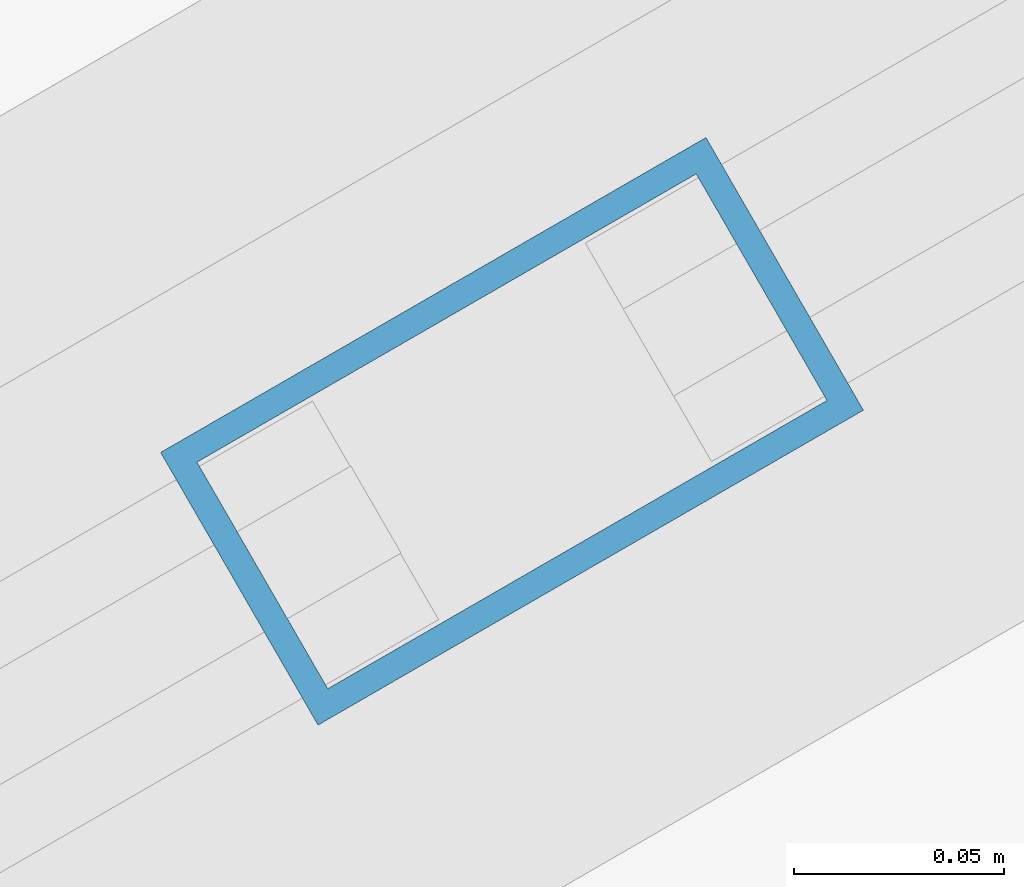
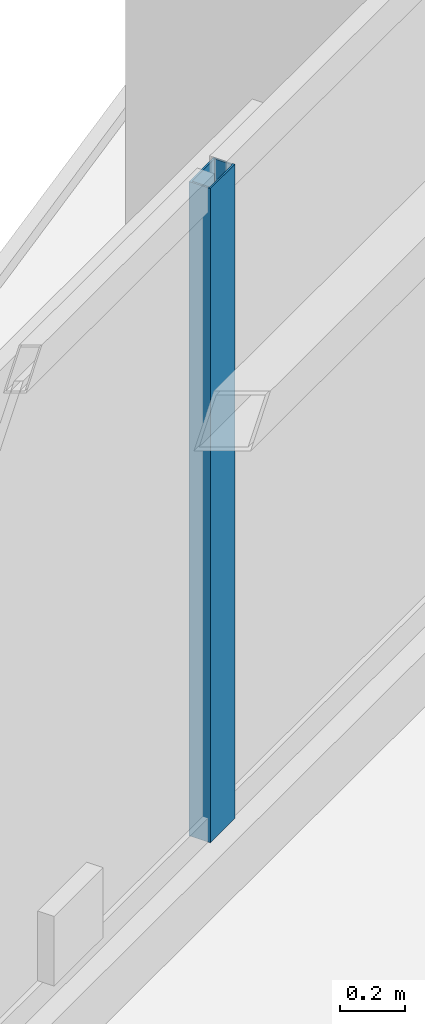
# One storey, part 11 of 22: 1 member, 1 element without a shape of its own.
"""IFC4 building model written with IfcOpenShell, lengths in metres."""

from ifc_helpers import new_model, si_unit, direction, frame, origin, origin_2d, place, context, subcontext, project, spatial, hollow_rectangle, extrude, material, layer, layer_set, material_profile, profile_set, type_object, element, aggregate, save


model = new_model("IFC4")

# Units and contexts
model_context = context("Model", 3, precision=1e-05, world=origin(), true_north=direction((0.0, 1.0)))
body_context = subcontext(model_context, "Body", "Model", "MODEL_VIEW")
ifc_project = project(units=[si_unit("LENGTHUNIT", "METRE"), si_unit("AREAUNIT", "SQUARE_METRE"), si_unit("VOLUMEUNIT", "CUBIC_METRE"), si_unit("PLANEANGLEUNIT", "RADIAN"), si_unit("MASSUNIT", "GRAM", prefix="KILO")], contexts=[model_context])

# Site, building, storey
site_placement = place(None, origin())
site = spatial("IfcSite", under=ifc_project, at=site_placement, CompositionType="ELEMENT")
building_placement = place(site_placement, origin())
building = spatial("IfcBuilding", under=site, at=building_placement, Name="Mersakhor Tower and Convention Hall", CompositionType="ELEMENT")
storey_placement = place(building_placement, frame((0.0, 0.0, 113.10009765625)))
storey = spatial("IfcBuildingStorey", under=building, at=storey_placement, Name="L31", CompositionType="ELEMENT", Elevation=113.10009765625)

# Curtain wall, member
ifc_material_1 = material(Name="Dark solar low-E aluminium curtain wall", Category="aluminium")
ifc_layer = layer(ifc_material_1, 0.159912109375)
ifc_layer_set = layer_set([ifc_layer], Name="Dark solar low-E aluminium curtain wall")
curtain_wall_type = type_object("IfcCurtainWallType", Name="CW-SYS-01", PredefinedType="USERDEFINED", material=ifc_layer_set)
curtain_wall_placement = place(storey_placement, origin())
curtain_wall = element("IfcCurtainWall", 1, at=curtain_wall_placement, inside=storey, type_object=curtain_wall_type, Name="L31 Dark-Glass Curtain Wall F1-B2", ObjectType="CURTAIN WALL", PredefinedType="USERDEFINED")
ifc_material_2 = material(Name="Anodised aluminium EN AW-6063 T6", Category="aluminium")
ifc_material_profile = material_profile(ifc_material_2, hollow_rectangle(XDim=0.074951171875, YDim=0.14990234375, WallThickness=0.00634765625, at=origin_2d()), Name="RHS 150x75x6.3")
ifc_profile_set = profile_set([ifc_material_profile], Name="Anodised aluminium EN AW-6063 T6")
member_type = type_object("IfcMemberType", Name="CWM-150x75", PredefinedType="MULLION", material=ifc_profile_set)
member_placement = place(storey_placement, frame((20.36181640625, 37.968505859375, 0.199951171875), z_axis=(0.0, 0.0, 1.0), x_axis=(-0.499997904985, 0.866026613339, 0.0)))
member = element("IfcMember", 2, at=member_placement, type_object=member_type, Name="CW-01 mullion 2", PredefinedType="MULLION", context=body_context, shape_type="SweptSolid", body=[
    extrude(hollow_rectangle(XDim=0.074951171875, YDim=0.14990234375, WallThickness=0.00634765625, at=origin_2d()), origin(), (0.0, 0.0, 1.0), 2.43994140625),
])
aggregate(curtain_wall, [member])

save(model, "model.ifc")
